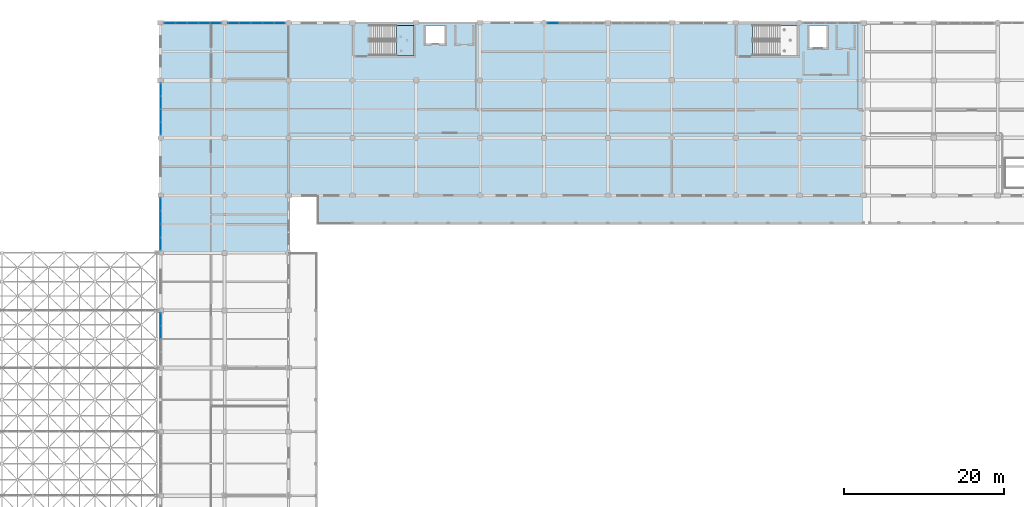
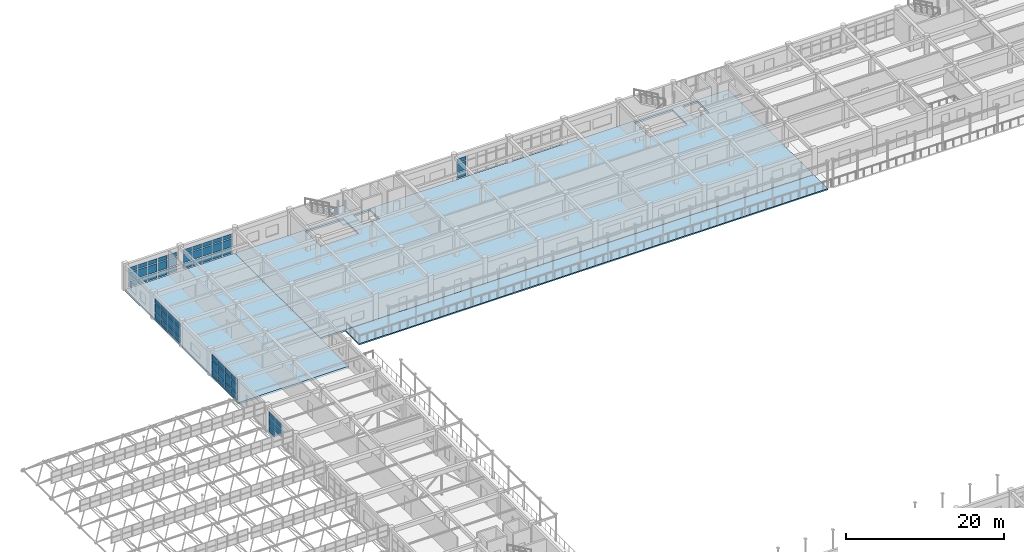
# One storey, part 150 of 195: 62 plates, 4 slabs, 7 elements without a shape of their own.
"""IFC4 building model written with IfcOpenShell, lengths in metres."""

from ifc_helpers import new_model, si_unit, direction, frame, origin, origin_2d, place, context, subcontext, project, spatial, polyline, rectangle, outline, extrude, material, layer, layer_set, type_object, element, aggregate, save


model = new_model("IFC4")

# Units and contexts
model_context = context("Model", 3, precision=1e-05, world=origin(), true_north=direction((0.0, 1.0)))
body_context = subcontext(model_context, "Body", "Model", "MODEL_VIEW")
ifc_project = project(units=[si_unit("LENGTHUNIT", "METRE"), si_unit("AREAUNIT", "SQUARE_METRE"), si_unit("VOLUMEUNIT", "CUBIC_METRE"), si_unit("PLANEANGLEUNIT", "RADIAN"), si_unit("MASSUNIT", "GRAM", prefix="KILO")], contexts=[model_context])

# Site, building, storey
site_placement = place(None, origin())
site = spatial("IfcSite", under=ifc_project, at=site_placement, CompositionType="ELEMENT")
building_placement = place(site_placement, origin())
building = spatial("IfcBuilding", under=site, at=building_placement, Name="Kharva Crest Polytechnic", CompositionType="ELEMENT")
storey_placement = place(building_placement, frame((0.0, 0.0, 9.0)))
storey = spatial("IfcBuildingStorey", under=building, at=storey_placement, Name="L02", CompositionType="ELEMENT", Elevation=9.0)

# Curtain wall, plates
ifc_material_1 = material(Name="Tempered insulated glass", Category="glass")
curtain_wall_type_1 = type_object("IfcCurtainWallType", Name="CW-SYS-COURT", PredefinedType="USERDEFINED", material=ifc_material_1)
curtain_wall_1_placement = place(storey_placement, origin())
curtain_wall_1 = element("IfcCurtainWall", 1, at=curtain_wall_1_placement, inside=storey, type_object=curtain_wall_type_1, Name="L02 Glazed Curtain Wall CW-098", ObjectType="CURTAIN WALL", PredefinedType="USERDEFINED")
ifc_layer_1 = layer(ifc_material_1, 0.02392578125, Name="Tempered insulated glass")
ifc_layer_set_1 = layer_set([ifc_layer_1], Name="Tempered insulated glass")
plate_type_1 = type_object("IfcPlateType", Name="CWP-GLZ-24", PredefinedType="CURTAIN_PANEL", material=ifc_layer_set_1)
plate_1_placement = place(storey_placement, frame((32.0, 84.858642578125, 0.119873046875), z_axis=(0.0, 0.0, 1.0), x_axis=(0.0, -1.0, 0.0)))
plate_1 = element("IfcPlate", 2, at=plate_1_placement, type_object=plate_type_1, Name="CW-098 panel 1.1", PredefinedType="CURTAIN_PANEL", context=body_context, shape_type="SweptSolid", body=[
    extrude(rectangle(XDim=1.512451171875, YDim=0.02392578125, at=origin_2d()), origin(), (0.0, 0.0, 1.0), 0.8701171875),
])
plate_2_placement = place(storey_placement, frame((32.0, 84.858642578125, 1.10986328125), z_axis=(0.0, 0.0, 1.0), x_axis=(0.0, -1.0, 0.0)))
plate_2 = element("IfcPlate", 3, at=plate_2_placement, type_object=plate_type_1, Name="CW-098 panel 1.2", PredefinedType="CURTAIN_PANEL", context=body_context, shape_type="SweptSolid", body=[
    extrude(rectangle(XDim=1.512451171875, YDim=0.02392578125, at=origin_2d()), origin(), (0.0, 0.0, 1.0), 1.280029296875),
])
plate_3_placement = place(storey_placement, frame((32.0, 84.858642578125, 2.510009765625), z_axis=(0.0, 0.0, 1.0), x_axis=(0.0, -1.0, 0.0)))
plate_3 = element("IfcPlate", 4, at=plate_3_placement, type_object=plate_type_1, Name="CW-098 panel 1.3", PredefinedType="CURTAIN_PANEL", context=body_context, shape_type="SweptSolid", body=[
    extrude(rectangle(XDim=1.512451171875, YDim=0.02392578125, at=origin_2d()), origin(), (0.0, 0.0, 1.0), 0.77001953125),
])
plate_4_placement = place(storey_placement, frame((32.0, 83.246337890625, 1.10986328125), z_axis=(0.0, 0.0, 1.0), x_axis=(0.0, -1.0, 0.0)))
plate_4 = element("IfcPlate", 5, at=plate_4_placement, type_object=plate_type_1, Name="CW-098 panel 2.2", PredefinedType="CURTAIN_PANEL", context=body_context, shape_type="SweptSolid", body=[
    extrude(rectangle(XDim=1.552490234375, YDim=0.02392578125, at=origin_2d()), origin(), (0.0, 0.0, 1.0), 1.280029296875),
])
plate_5_placement = place(storey_placement, frame((32.0, 83.246337890625, 2.510009765625), z_axis=(0.0, 0.0, 1.0), x_axis=(0.0, -1.0, 0.0)))
plate_5 = element("IfcPlate", 6, at=plate_5_placement, type_object=plate_type_1, Name="CW-098 panel 2.3", PredefinedType="CURTAIN_PANEL", context=body_context, shape_type="SweptSolid", body=[
    extrude(rectangle(XDim=1.552490234375, YDim=0.02392578125, at=origin_2d()), origin(), (0.0, 0.0, 1.0), 0.77001953125),
])
aggregate(curtain_wall_1, [plate_1, plate_2, plate_3, plate_4, plate_5])

curtain_wall_2_placement = place(storey_placement, origin())
curtain_wall_2 = element("IfcCurtainWall", 7, at=curtain_wall_2_placement, inside=storey, type_object=curtain_wall_type_1, Name="L02 Glazed Curtain Wall CW-124", ObjectType="CURTAIN WALL", PredefinedType="USERDEFINED")
plate_6_placement = place(storey_placement, frame((32.0, 99.27001953125, 0.119873046875), z_axis=(0.0, 0.0, 1.0), x_axis=(0.0, -1.0, 0.0)))
plate_6 = element("IfcPlate", 8, at=plate_6_placement, type_object=plate_type_1, Name="CW-124 panel 1.1", PredefinedType="CURTAIN_PANEL", context=body_context, shape_type="SweptSolid", body=[
    extrude(rectangle(XDim=1.5400390625, YDim=0.02392578125, at=origin_2d()), origin(), (0.0, 0.0, 1.0), 0.8701171875),
])
plate_7_placement = place(storey_placement, frame((32.0, 99.27001953125, 1.10986328125), z_axis=(0.0, 0.0, 1.0), x_axis=(0.0, -1.0, 0.0)))
plate_7 = element("IfcPlate", 9, at=plate_7_placement, type_object=plate_type_1, Name="CW-124 panel 1.2", PredefinedType="CURTAIN_PANEL", context=body_context, shape_type="SweptSolid", body=[
    extrude(rectangle(XDim=1.5400390625, YDim=0.02392578125, at=origin_2d()), origin(), (0.0, 0.0, 1.0), 1.280029296875),
])
plate_8_placement = place(storey_placement, frame((32.0, 99.27001953125, 2.510009765625), z_axis=(0.0, 0.0, 1.0), x_axis=(0.0, -1.0, 0.0)))
plate_8 = element("IfcPlate", 10, at=plate_8_placement, type_object=plate_type_1, Name="CW-124 panel 1.3", PredefinedType="CURTAIN_PANEL", context=body_context, shape_type="SweptSolid", body=[
    extrude(rectangle(XDim=1.5400390625, YDim=0.02392578125, at=origin_2d()), origin(), (0.0, 0.0, 1.0), 0.85009765625),
])
plate_9_placement = place(storey_placement, frame((32.0, 97.6298828125, 0.119873046875), z_axis=(0.0, 0.0, 1.0), x_axis=(0.0, -1.0, 0.0)))
plate_9 = element("IfcPlate", 11, at=plate_9_placement, type_object=plate_type_1, Name="CW-124 panel 2.1", PredefinedType="CURTAIN_PANEL", context=body_context, shape_type="SweptSolid", body=[
    extrude(rectangle(XDim=1.580078125, YDim=0.02392578125, at=origin_2d()), origin(), (0.0, 0.0, 1.0), 0.8701171875),
])
plate_10_placement = place(storey_placement, frame((32.0, 97.6298828125, 1.10986328125), z_axis=(0.0, 0.0, 1.0), x_axis=(0.0, -1.0, 0.0)))
plate_10 = element("IfcPlate", 12, at=plate_10_placement, type_object=plate_type_1, Name="CW-124 panel 2.2", PredefinedType="CURTAIN_PANEL", context=body_context, shape_type="SweptSolid", body=[
    extrude(rectangle(XDim=1.580078125, YDim=0.02392578125, at=origin_2d()), origin(), (0.0, 0.0, 1.0), 1.280029296875),
])
plate_11_placement = place(storey_placement, frame((32.0, 97.6298828125, 2.510009765625), z_axis=(0.0, 0.0, 1.0), x_axis=(0.0, -1.0, 0.0)))
plate_11 = element("IfcPlate", 13, at=plate_11_placement, type_object=plate_type_1, Name="CW-124 panel 2.3", PredefinedType="CURTAIN_PANEL", context=body_context, shape_type="SweptSolid", body=[
    extrude(rectangle(XDim=1.580078125, YDim=0.02392578125, at=origin_2d()), origin(), (0.0, 0.0, 1.0), 0.85009765625),
])
plate_12_placement = place(storey_placement, frame((32.0, 95.969970703125, 0.119873046875), z_axis=(0.0, 0.0, 1.0), x_axis=(0.0, -1.0, 0.0)))
plate_12 = element("IfcPlate", 14, at=plate_12_placement, type_object=plate_type_1, Name="CW-124 panel 3.1", PredefinedType="CURTAIN_PANEL", context=body_context, shape_type="SweptSolid", body=[
    extrude(rectangle(XDim=1.580078125, YDim=0.02392578125, at=origin_2d()), origin(), (0.0, 0.0, 1.0), 0.8701171875),
])
plate_13_placement = place(storey_placement, frame((32.0, 95.969970703125, 1.10986328125), z_axis=(0.0, 0.0, 1.0), x_axis=(0.0, -1.0, 0.0)))
plate_13 = element("IfcPlate", 15, at=plate_13_placement, type_object=plate_type_1, Name="CW-124 panel 3.2", PredefinedType="CURTAIN_PANEL", context=body_context, shape_type="SweptSolid", body=[
    extrude(rectangle(XDim=1.580078125, YDim=0.02392578125, at=origin_2d()), origin(), (0.0, 0.0, 1.0), 1.280029296875),
])
plate_14_placement = place(storey_placement, frame((32.0, 95.969970703125, 2.510009765625), z_axis=(0.0, 0.0, 1.0), x_axis=(0.0, -1.0, 0.0)))
plate_14 = element("IfcPlate", 16, at=plate_14_placement, type_object=plate_type_1, Name="CW-124 panel 3.3", PredefinedType="CURTAIN_PANEL", context=body_context, shape_type="SweptSolid", body=[
    extrude(rectangle(XDim=1.580078125, YDim=0.02392578125, at=origin_2d()), origin(), (0.0, 0.0, 1.0), 0.85009765625),
])
plate_15_placement = place(storey_placement, frame((32.0, 94.330078125, 0.119873046875), z_axis=(0.0, 0.0, 1.0), x_axis=(0.0, -1.0, 0.0)))
plate_15 = element("IfcPlate", 17, at=plate_15_placement, type_object=plate_type_1, Name="CW-124 panel 4.1", PredefinedType="CURTAIN_PANEL", context=body_context, shape_type="SweptSolid", body=[
    extrude(rectangle(XDim=1.5400390625, YDim=0.02392578125, at=origin_2d()), origin(), (0.0, 0.0, 1.0), 0.8701171875),
])
plate_16_placement = place(storey_placement, frame((32.0, 94.330078125, 1.10986328125), z_axis=(0.0, 0.0, 1.0), x_axis=(0.0, -1.0, 0.0)))
plate_16 = element("IfcPlate", 18, at=plate_16_placement, type_object=plate_type_1, Name="CW-124 panel 4.2", PredefinedType="CURTAIN_PANEL", context=body_context, shape_type="SweptSolid", body=[
    extrude(rectangle(XDim=1.5400390625, YDim=0.02392578125, at=origin_2d()), origin(), (0.0, 0.0, 1.0), 1.280029296875),
])
plate_17_placement = place(storey_placement, frame((32.0, 94.330078125, 2.510009765625), z_axis=(0.0, 0.0, 1.0), x_axis=(0.0, -1.0, 0.0)))
plate_17 = element("IfcPlate", 19, at=plate_17_placement, type_object=plate_type_1, Name="CW-124 panel 4.3", PredefinedType="CURTAIN_PANEL", context=body_context, shape_type="SweptSolid", body=[
    extrude(rectangle(XDim=1.5400390625, YDim=0.02392578125, at=origin_2d()), origin(), (0.0, 0.0, 1.0), 0.85009765625),
])
aggregate(curtain_wall_2, [plate_6, plate_7, plate_8, plate_9, plate_10, plate_11, plate_12, plate_13, plate_14, plate_15, plate_16, plate_17])

curtain_wall_type_2 = type_object("IfcCurtainWallType", Name="CW-SYS-LIBRARY", PredefinedType="USERDEFINED", material=ifc_material_1)
curtain_wall_3_placement = place(storey_placement, origin())
curtain_wall_3 = element("IfcCurtainWall", 20, at=curtain_wall_3_placement, inside=storey, type_object=curtain_wall_type_2, Name="L02 Glazed Curtain Wall CW-120", ObjectType="CURTAIN WALL", PredefinedType="USERDEFINED")
ifc_layer_2 = layer(ifc_material_1, 0.031982421875, Name="Tempered insulated glass")
ifc_layer_set_2 = layer_set([ifc_layer_2], Name="Tempered insulated glass")
plate_type_2 = type_object("IfcPlateType", Name="CWP-GLZ-32", PredefinedType="CURTAIN_PANEL", material=ifc_layer_set_2)
plate_18_placement = place(storey_placement, frame((81.115478515625, 122.0, 0.14013671875), z_axis=(0.0, 0.0, 1.0), x_axis=(-1.0, 0.0, 0.0)))
plate_18 = element("IfcPlate", 21, at=plate_18_placement, type_object=plate_type_2, Name="CW-120 panel 5.1", PredefinedType="CURTAIN_PANEL", context=body_context, shape_type="SweptSolid", body=[
    extrude(rectangle(XDim=1.301025390625, YDim=0.031982421875, at=origin_2d()), origin(), (0.0, 0.0, 1.0), 0.840087890625),
])
plate_19_placement = place(storey_placement, frame((81.115478515625, 122.0, 1.1201171875), z_axis=(0.0, 0.0, 1.0), x_axis=(-1.0, 0.0, 0.0)))
plate_19 = element("IfcPlate", 22, at=plate_19_placement, type_object=plate_type_2, Name="CW-120 panel 5.2", PredefinedType="CURTAIN_PANEL", context=body_context, shape_type="SweptSolid", body=[
    extrude(rectangle(XDim=1.301025390625, YDim=0.031982421875, at=origin_2d()), origin(), (0.0, 0.0, 1.0), 1.260009765625),
])
plate_20_placement = place(storey_placement, frame((81.115478515625, 122.0, 2.52001953125), z_axis=(0.0, 0.0, 1.0), x_axis=(-1.0, 0.0, 0.0)))
plate_20 = element("IfcPlate", 23, at=plate_20_placement, type_object=plate_type_2, Name="CW-120 panel 5.3", PredefinedType="CURTAIN_PANEL", context=body_context, shape_type="SweptSolid", body=[
    extrude(rectangle(XDim=1.301025390625, YDim=0.031982421875, at=origin_2d()), origin(), (0.0, 0.0, 1.0), 0.610107421875),
])
aggregate(curtain_wall_3, [plate_18, plate_19, plate_20])

curtain_wall_4_placement = place(storey_placement, origin())
curtain_wall_4 = element("IfcCurtainWall", 24, at=curtain_wall_4_placement, inside=storey, type_object=curtain_wall_type_2, Name="L02 Glazed Curtain Wall CW-121", ObjectType="CURTAIN WALL", PredefinedType="USERDEFINED")
plate_21_placement = place(storey_placement, frame((46.883056640625, 122.0, 0.14013671875), z_axis=(0.0, 0.0, 1.0), x_axis=(-1.0, 0.0, 0.0)))
plate_21 = element("IfcPlate", 25, at=plate_21_placement, type_object=plate_type_2, Name="CW-121 panel 1.1", PredefinedType="CURTAIN_PANEL", context=body_context, shape_type="SweptSolid", body=[
    extrude(rectangle(XDim=1.303955078125, YDim=0.031982421875, at=origin_2d()), origin(), (0.0, 0.0, 1.0), 0.840087890625),
])
plate_22_placement = place(storey_placement, frame((46.883056640625, 122.0, 1.1201171875), z_axis=(0.0, 0.0, 1.0), x_axis=(-1.0, 0.0, 0.0)))
plate_22 = element("IfcPlate", 26, at=plate_22_placement, type_object=plate_type_2, Name="CW-121 panel 1.2", PredefinedType="CURTAIN_PANEL", context=body_context, shape_type="SweptSolid", body=[
    extrude(rectangle(XDim=1.303955078125, YDim=0.031982421875, at=origin_2d()), origin(), (0.0, 0.0, 1.0), 1.260009765625),
])
plate_23_placement = place(storey_placement, frame((46.883056640625, 122.0, 2.52001953125), z_axis=(0.0, 0.0, 1.0), x_axis=(-1.0, 0.0, 0.0)))
plate_23 = element("IfcPlate", 27, at=plate_23_placement, type_object=plate_type_2, Name="CW-121 panel 1.3", PredefinedType="CURTAIN_PANEL", context=body_context, shape_type="SweptSolid", body=[
    extrude(rectangle(XDim=1.303955078125, YDim=0.031982421875, at=origin_2d()), origin(), (0.0, 0.0, 1.0), 0.610107421875),
])
plate_24_placement = place(storey_placement, frame((45.4541015625, 122.0, 0.14013671875), z_axis=(0.0, 0.0, 1.0), x_axis=(-1.0, 0.0, 0.0)))
plate_24 = element("IfcPlate", 28, at=plate_24_placement, type_object=plate_type_2, Name="CW-121 panel 2.1", PredefinedType="CURTAIN_PANEL", context=body_context, shape_type="SweptSolid", body=[
    extrude(rectangle(XDim=1.35400390625, YDim=0.031982421875, at=origin_2d()), origin(), (0.0, 0.0, 1.0), 0.840087890625),
])
plate_25_placement = place(storey_placement, frame((45.4541015625, 122.0, 1.1201171875), z_axis=(0.0, 0.0, 1.0), x_axis=(-1.0, 0.0, 0.0)))
plate_25 = element("IfcPlate", 29, at=plate_25_placement, type_object=plate_type_2, Name="CW-121 panel 2.2", PredefinedType="CURTAIN_PANEL", context=body_context, shape_type="SweptSolid", body=[
    extrude(rectangle(XDim=1.35400390625, YDim=0.031982421875, at=origin_2d()), origin(), (0.0, 0.0, 1.0), 1.260009765625),
])
plate_26_placement = place(storey_placement, frame((45.4541015625, 122.0, 2.52001953125), z_axis=(0.0, 0.0, 1.0), x_axis=(-1.0, 0.0, 0.0)))
plate_26 = element("IfcPlate", 30, at=plate_26_placement, type_object=plate_type_2, Name="CW-121 panel 2.3", PredefinedType="CURTAIN_PANEL", context=body_context, shape_type="SweptSolid", body=[
    extrude(rectangle(XDim=1.35400390625, YDim=0.031982421875, at=origin_2d()), origin(), (0.0, 0.0, 1.0), 0.610107421875),
])
plate_27_placement = place(storey_placement, frame((44.0, 122.0, 0.14013671875), z_axis=(0.0, 0.0, 1.0), x_axis=(-1.0, 0.0, 0.0)))
plate_27 = element("IfcPlate", 31, at=plate_27_placement, type_object=plate_type_2, Name="CW-121 panel 3.1", PredefinedType="CURTAIN_PANEL", context=body_context, shape_type="SweptSolid", body=[
    extrude(rectangle(XDim=1.35400390625, YDim=0.031982421875, at=origin_2d()), origin(), (0.0, 0.0, 1.0), 0.840087890625),
])
plate_28_placement = place(storey_placement, frame((44.0, 122.0, 1.1201171875), z_axis=(0.0, 0.0, 1.0), x_axis=(-1.0, 0.0, 0.0)))
plate_28 = element("IfcPlate", 32, at=plate_28_placement, type_object=plate_type_2, Name="CW-121 panel 3.2", PredefinedType="CURTAIN_PANEL", context=body_context, shape_type="SweptSolid", body=[
    extrude(rectangle(XDim=1.35400390625, YDim=0.031982421875, at=origin_2d()), origin(), (0.0, 0.0, 1.0), 1.260009765625),
])
plate_29_placement = place(storey_placement, frame((44.0, 122.0, 2.52001953125), z_axis=(0.0, 0.0, 1.0), x_axis=(-1.0, 0.0, 0.0)))
plate_29 = element("IfcPlate", 33, at=plate_29_placement, type_object=plate_type_2, Name="CW-121 panel 3.3", PredefinedType="CURTAIN_PANEL", context=body_context, shape_type="SweptSolid", body=[
    extrude(rectangle(XDim=1.35400390625, YDim=0.031982421875, at=origin_2d()), origin(), (0.0, 0.0, 1.0), 0.610107421875),
])
plate_30_placement = place(storey_placement, frame((42.5458984375, 122.0, 0.14013671875), z_axis=(0.0, 0.0, 1.0), x_axis=(-1.0, 0.0, 0.0)))
plate_30 = element("IfcPlate", 34, at=plate_30_placement, type_object=plate_type_2, Name="CW-121 panel 4.1", PredefinedType="CURTAIN_PANEL", context=body_context, shape_type="SweptSolid", body=[
    extrude(rectangle(XDim=1.35400390625, YDim=0.031982421875, at=origin_2d()), origin(), (0.0, 0.0, 1.0), 0.840087890625),
])
plate_31_placement = place(storey_placement, frame((42.5458984375, 122.0, 1.1201171875), z_axis=(0.0, 0.0, 1.0), x_axis=(-1.0, 0.0, 0.0)))
plate_31 = element("IfcPlate", 35, at=plate_31_placement, type_object=plate_type_2, Name="CW-121 panel 4.2", PredefinedType="CURTAIN_PANEL", context=body_context, shape_type="SweptSolid", body=[
    extrude(rectangle(XDim=1.35400390625, YDim=0.031982421875, at=origin_2d()), origin(), (0.0, 0.0, 1.0), 1.260009765625),
])
plate_32_placement = place(storey_placement, frame((42.5458984375, 122.0, 2.52001953125), z_axis=(0.0, 0.0, 1.0), x_axis=(-1.0, 0.0, 0.0)))
plate_32 = element("IfcPlate", 36, at=plate_32_placement, type_object=plate_type_2, Name="CW-121 panel 4.3", PredefinedType="CURTAIN_PANEL", context=body_context, shape_type="SweptSolid", body=[
    extrude(rectangle(XDim=1.35400390625, YDim=0.031982421875, at=origin_2d()), origin(), (0.0, 0.0, 1.0), 0.610107421875),
])
plate_33_placement = place(storey_placement, frame((41.116943359375, 122.0, 0.14013671875), z_axis=(0.0, 0.0, 1.0), x_axis=(-1.0, 0.0, 0.0)))
plate_33 = element("IfcPlate", 37, at=plate_33_placement, type_object=plate_type_2, Name="CW-121 panel 5.1", PredefinedType="CURTAIN_PANEL", context=body_context, shape_type="SweptSolid", body=[
    extrude(rectangle(XDim=1.303955078125, YDim=0.031982421875, at=origin_2d()), origin(), (0.0, 0.0, 1.0), 0.840087890625),
])
plate_34_placement = place(storey_placement, frame((41.116943359375, 122.0, 1.1201171875), z_axis=(0.0, 0.0, 1.0), x_axis=(-1.0, 0.0, 0.0)))
plate_34 = element("IfcPlate", 38, at=plate_34_placement, type_object=plate_type_2, Name="CW-121 panel 5.2", PredefinedType="CURTAIN_PANEL", context=body_context, shape_type="SweptSolid", body=[
    extrude(rectangle(XDim=1.303955078125, YDim=0.031982421875, at=origin_2d()), origin(), (0.0, 0.0, 1.0), 1.260009765625),
])
plate_35_placement = place(storey_placement, frame((41.116943359375, 122.0, 2.52001953125), z_axis=(0.0, 0.0, 1.0), x_axis=(-1.0, 0.0, 0.0)))
plate_35 = element("IfcPlate", 39, at=plate_35_placement, type_object=plate_type_2, Name="CW-121 panel 5.3", PredefinedType="CURTAIN_PANEL", context=body_context, shape_type="SweptSolid", body=[
    extrude(rectangle(XDim=1.303955078125, YDim=0.031982421875, at=origin_2d()), origin(), (0.0, 0.0, 1.0), 0.610107421875),
])
aggregate(curtain_wall_4, [plate_21, plate_22, plate_23, plate_24, plate_25, plate_26, plate_27, plate_28, plate_29, plate_30, plate_31, plate_32, plate_33, plate_34, plate_35])

curtain_wall_5_placement = place(storey_placement, origin())
curtain_wall_5 = element("IfcCurtainWall", 40, at=curtain_wall_5_placement, inside=storey, type_object=curtain_wall_type_2, Name="L02 Glazed Curtain Wall CW-122", ObjectType="CURTAIN WALL", PredefinedType="USERDEFINED")
plate_36_placement = place(storey_placement, frame((38.884521484375, 122.0, 0.14013671875), z_axis=(0.0, 0.0, 1.0), x_axis=(-1.0, 0.0, 0.0)))
plate_36 = element("IfcPlate", 41, at=plate_36_placement, type_object=plate_type_2, Name="CW-122 panel 1.1", PredefinedType="CURTAIN_PANEL", context=body_context, shape_type="SweptSolid", body=[
    extrude(rectangle(XDim=1.301025390625, YDim=0.031982421875, at=origin_2d()), origin(), (0.0, 0.0, 1.0), 0.840087890625),
])
plate_37_placement = place(storey_placement, frame((38.884521484375, 122.0, 1.1201171875), z_axis=(0.0, 0.0, 1.0), x_axis=(-1.0, 0.0, 0.0)))
plate_37 = element("IfcPlate", 42, at=plate_37_placement, type_object=plate_type_2, Name="CW-122 panel 1.2", PredefinedType="CURTAIN_PANEL", context=body_context, shape_type="SweptSolid", body=[
    extrude(rectangle(XDim=1.301025390625, YDim=0.031982421875, at=origin_2d()), origin(), (0.0, 0.0, 1.0), 1.260009765625),
])
plate_38_placement = place(storey_placement, frame((38.884521484375, 122.0, 2.52001953125), z_axis=(0.0, 0.0, 1.0), x_axis=(-1.0, 0.0, 0.0)))
plate_38 = element("IfcPlate", 43, at=plate_38_placement, type_object=plate_type_2, Name="CW-122 panel 1.3", PredefinedType="CURTAIN_PANEL", context=body_context, shape_type="SweptSolid", body=[
    extrude(rectangle(XDim=1.301025390625, YDim=0.031982421875, at=origin_2d()), origin(), (0.0, 0.0, 1.0), 0.610107421875),
])
plate_39_placement = place(storey_placement, frame((37.45849609375, 122.0, 0.14013671875), z_axis=(0.0, 0.0, 1.0), x_axis=(-1.0, 0.0, 0.0)))
plate_39 = element("IfcPlate", 44, at=plate_39_placement, type_object=plate_type_2, Name="CW-122 panel 2.1", PredefinedType="CURTAIN_PANEL", context=body_context, shape_type="SweptSolid", body=[
    extrude(rectangle(XDim=1.35107421875, YDim=0.031982421875, at=origin_2d()), origin(), (0.0, 0.0, 1.0), 0.840087890625),
])
plate_40_placement = place(storey_placement, frame((37.45849609375, 122.0, 1.1201171875), z_axis=(0.0, 0.0, 1.0), x_axis=(-1.0, 0.0, 0.0)))
plate_40 = element("IfcPlate", 45, at=plate_40_placement, type_object=plate_type_2, Name="CW-122 panel 2.2", PredefinedType="CURTAIN_PANEL", context=body_context, shape_type="SweptSolid", body=[
    extrude(rectangle(XDim=1.35107421875, YDim=0.031982421875, at=origin_2d()), origin(), (0.0, 0.0, 1.0), 1.260009765625),
])
plate_41_placement = place(storey_placement, frame((37.45849609375, 122.0, 2.52001953125), z_axis=(0.0, 0.0, 1.0), x_axis=(-1.0, 0.0, 0.0)))
plate_41 = element("IfcPlate", 46, at=plate_41_placement, type_object=plate_type_2, Name="CW-122 panel 2.3", PredefinedType="CURTAIN_PANEL", context=body_context, shape_type="SweptSolid", body=[
    extrude(rectangle(XDim=1.35107421875, YDim=0.031982421875, at=origin_2d()), origin(), (0.0, 0.0, 1.0), 0.610107421875),
])
plate_42_placement = place(storey_placement, frame((36.007568359375, 122.0, 0.14013671875), z_axis=(0.0, 0.0, 1.0), x_axis=(-1.0, 0.0, 0.0)))
plate_42 = element("IfcPlate", 47, at=plate_42_placement, type_object=plate_type_2, Name="CW-122 panel 3.1", PredefinedType="CURTAIN_PANEL", context=body_context, shape_type="SweptSolid", body=[
    extrude(rectangle(XDim=1.35107421875, YDim=0.031982421875, at=origin_2d()), origin(), (0.0, 0.0, 1.0), 0.840087890625),
])
plate_43_placement = place(storey_placement, frame((36.007568359375, 122.0, 1.1201171875), z_axis=(0.0, 0.0, 1.0), x_axis=(-1.0, 0.0, 0.0)))
plate_43 = element("IfcPlate", 48, at=plate_43_placement, type_object=plate_type_2, Name="CW-122 panel 3.2", PredefinedType="CURTAIN_PANEL", context=body_context, shape_type="SweptSolid", body=[
    extrude(rectangle(XDim=1.35107421875, YDim=0.031982421875, at=origin_2d()), origin(), (0.0, 0.0, 1.0), 1.260009765625),
])
plate_44_placement = place(storey_placement, frame((36.007568359375, 122.0, 2.52001953125), z_axis=(0.0, 0.0, 1.0), x_axis=(-1.0, 0.0, 0.0)))
plate_44 = element("IfcPlate", 49, at=plate_44_placement, type_object=plate_type_2, Name="CW-122 panel 3.3", PredefinedType="CURTAIN_PANEL", context=body_context, shape_type="SweptSolid", body=[
    extrude(rectangle(XDim=1.35107421875, YDim=0.031982421875, at=origin_2d()), origin(), (0.0, 0.0, 1.0), 0.610107421875),
])
plate_45_placement = place(storey_placement, frame((34.556396484375, 122.0, 0.14013671875), z_axis=(0.0, 0.0, 1.0), x_axis=(-1.0, 0.0, 0.0)))
plate_45 = element("IfcPlate", 50, at=plate_45_placement, type_object=plate_type_2, Name="CW-122 panel 4.1", PredefinedType="CURTAIN_PANEL", context=body_context, shape_type="SweptSolid", body=[
    extrude(rectangle(XDim=1.35107421875, YDim=0.031982421875, at=origin_2d()), origin(), (0.0, 0.0, 1.0), 0.840087890625),
])
plate_46_placement = place(storey_placement, frame((34.556396484375, 122.0, 1.1201171875), z_axis=(0.0, 0.0, 1.0), x_axis=(-1.0, 0.0, 0.0)))
plate_46 = element("IfcPlate", 51, at=plate_46_placement, type_object=plate_type_2, Name="CW-122 panel 4.2", PredefinedType="CURTAIN_PANEL", context=body_context, shape_type="SweptSolid", body=[
    extrude(rectangle(XDim=1.35107421875, YDim=0.031982421875, at=origin_2d()), origin(), (0.0, 0.0, 1.0), 1.260009765625),
])
plate_47_placement = place(storey_placement, frame((34.556396484375, 122.0, 2.52001953125), z_axis=(0.0, 0.0, 1.0), x_axis=(-1.0, 0.0, 0.0)))
plate_47 = element("IfcPlate", 52, at=plate_47_placement, type_object=plate_type_2, Name="CW-122 panel 4.3", PredefinedType="CURTAIN_PANEL", context=body_context, shape_type="SweptSolid", body=[
    extrude(rectangle(XDim=1.35107421875, YDim=0.031982421875, at=origin_2d()), origin(), (0.0, 0.0, 1.0), 0.610107421875),
])
plate_48_placement = place(storey_placement, frame((33.130615234375, 122.0, 0.14013671875), z_axis=(0.0, 0.0, 1.0), x_axis=(-1.0, 0.0, 0.0)))
plate_48 = element("IfcPlate", 53, at=plate_48_placement, type_object=plate_type_2, Name="CW-122 panel 5.1", PredefinedType="CURTAIN_PANEL", context=body_context, shape_type="SweptSolid", body=[
    extrude(rectangle(XDim=1.301025390625, YDim=0.031982421875, at=origin_2d()), origin(), (0.0, 0.0, 1.0), 0.840087890625),
])
plate_49_placement = place(storey_placement, frame((33.130615234375, 122.0, 1.1201171875), z_axis=(0.0, 0.0, 1.0), x_axis=(-1.0, 0.0, 0.0)))
plate_49 = element("IfcPlate", 54, at=plate_49_placement, type_object=plate_type_2, Name="CW-122 panel 5.2", PredefinedType="CURTAIN_PANEL", context=body_context, shape_type="SweptSolid", body=[
    extrude(rectangle(XDim=1.301025390625, YDim=0.031982421875, at=origin_2d()), origin(), (0.0, 0.0, 1.0), 1.260009765625),
])
plate_50_placement = place(storey_placement, frame((33.130615234375, 122.0, 2.52001953125), z_axis=(0.0, 0.0, 1.0), x_axis=(-1.0, 0.0, 0.0)))
plate_50 = element("IfcPlate", 55, at=plate_50_placement, type_object=plate_type_2, Name="CW-122 panel 5.3", PredefinedType="CURTAIN_PANEL", context=body_context, shape_type="SweptSolid", body=[
    extrude(rectangle(XDim=1.301025390625, YDim=0.031982421875, at=origin_2d()), origin(), (0.0, 0.0, 1.0), 0.610107421875),
])
aggregate(curtain_wall_5, [plate_36, plate_37, plate_38, plate_39, plate_40, plate_41, plate_42, plate_43, plate_44, plate_45, plate_46, plate_47, plate_48, plate_49, plate_50])

curtain_wall_6_placement = place(storey_placement, origin())
curtain_wall_6 = element("IfcCurtainWall", 56, at=curtain_wall_6_placement, inside=storey, type_object=curtain_wall_type_2, Name="L02 Glazed Curtain Wall CW-123", ObjectType="CURTAIN WALL", PredefinedType="USERDEFINED")
plate_51_placement = place(storey_placement, frame((32.0, 113.65380859375, 0.14013671875), z_axis=(0.0, 0.0, 1.0), x_axis=(0.0, -1.0, 0.0)))
plate_51 = element("IfcPlate", 57, at=plate_51_placement, type_object=plate_type_2, Name="CW-123 panel 1.1", PredefinedType="CURTAIN_PANEL", context=body_context, shape_type="SweptSolid", body=[
    extrude(rectangle(XDim=1.482421875, YDim=0.031982421875, at=origin_2d()), origin(), (0.0, 0.0, 1.0), 0.840087890625),
])
plate_52_placement = place(storey_placement, frame((32.0, 113.65380859375, 1.1201171875), z_axis=(0.0, 0.0, 1.0), x_axis=(0.0, -1.0, 0.0)))
plate_52 = element("IfcPlate", 58, at=plate_52_placement, type_object=plate_type_2, Name="CW-123 panel 1.2", PredefinedType="CURTAIN_PANEL", context=body_context, shape_type="SweptSolid", body=[
    extrude(rectangle(XDim=1.482421875, YDim=0.031982421875, at=origin_2d()), origin(), (0.0, 0.0, 1.0), 1.260009765625),
])
plate_53_placement = place(storey_placement, frame((32.0, 113.65380859375, 2.52001953125), z_axis=(0.0, 0.0, 1.0), x_axis=(0.0, -1.0, 0.0)))
plate_53 = element("IfcPlate", 59, at=plate_53_placement, type_object=plate_type_2, Name="CW-123 panel 1.3", PredefinedType="CURTAIN_PANEL", context=body_context, shape_type="SweptSolid", body=[
    extrude(rectangle(XDim=1.482421875, YDim=0.031982421875, at=origin_2d()), origin(), (0.0, 0.0, 1.0), 0.679931640625),
])
plate_54_placement = place(storey_placement, frame((32.0, 112.046142578125, 0.14013671875), z_axis=(0.0, 0.0, 1.0), x_axis=(0.0, -1.0, 0.0)))
plate_54 = element("IfcPlate", 60, at=plate_54_placement, type_object=plate_type_2, Name="CW-123 panel 2.1", PredefinedType="CURTAIN_PANEL", context=body_context, shape_type="SweptSolid", body=[
    extrude(rectangle(XDim=1.532470703125, YDim=0.031982421875, at=origin_2d()), origin(), (0.0, 0.0, 1.0), 0.840087890625),
])
plate_55_placement = place(storey_placement, frame((32.0, 112.046142578125, 1.1201171875), z_axis=(0.0, 0.0, 1.0), x_axis=(0.0, -1.0, 0.0)))
plate_55 = element("IfcPlate", 61, at=plate_55_placement, type_object=plate_type_2, Name="CW-123 panel 2.2", PredefinedType="CURTAIN_PANEL", context=body_context, shape_type="SweptSolid", body=[
    extrude(rectangle(XDim=1.532470703125, YDim=0.031982421875, at=origin_2d()), origin(), (0.0, 0.0, 1.0), 1.260009765625),
])
plate_56_placement = place(storey_placement, frame((32.0, 112.046142578125, 2.52001953125), z_axis=(0.0, 0.0, 1.0), x_axis=(0.0, -1.0, 0.0)))
plate_56 = element("IfcPlate", 62, at=plate_56_placement, type_object=plate_type_2, Name="CW-123 panel 2.3", PredefinedType="CURTAIN_PANEL", context=body_context, shape_type="SweptSolid", body=[
    extrude(rectangle(XDim=1.532470703125, YDim=0.031982421875, at=origin_2d()), origin(), (0.0, 0.0, 1.0), 0.679931640625),
])
plate_57_placement = place(storey_placement, frame((32.0, 110.413818359375, 0.14013671875), z_axis=(0.0, 0.0, 1.0), x_axis=(0.0, -1.0, 0.0)))
plate_57 = element("IfcPlate", 63, at=plate_57_placement, type_object=plate_type_2, Name="CW-123 panel 3.1", PredefinedType="CURTAIN_PANEL", context=body_context, shape_type="SweptSolid", body=[
    extrude(rectangle(XDim=1.532470703125, YDim=0.031982421875, at=origin_2d()), origin(), (0.0, 0.0, 1.0), 0.840087890625),
])
plate_58_placement = place(storey_placement, frame((32.0, 110.413818359375, 1.1201171875), z_axis=(0.0, 0.0, 1.0), x_axis=(0.0, -1.0, 0.0)))
plate_58 = element("IfcPlate", 64, at=plate_58_placement, type_object=plate_type_2, Name="CW-123 panel 3.2", PredefinedType="CURTAIN_PANEL", context=body_context, shape_type="SweptSolid", body=[
    extrude(rectangle(XDim=1.532470703125, YDim=0.031982421875, at=origin_2d()), origin(), (0.0, 0.0, 1.0), 1.260009765625),
])
plate_59_placement = place(storey_placement, frame((32.0, 110.413818359375, 2.52001953125), z_axis=(0.0, 0.0, 1.0), x_axis=(0.0, -1.0, 0.0)))
plate_59 = element("IfcPlate", 65, at=plate_59_placement, type_object=plate_type_2, Name="CW-123 panel 3.3", PredefinedType="CURTAIN_PANEL", context=body_context, shape_type="SweptSolid", body=[
    extrude(rectangle(XDim=1.532470703125, YDim=0.031982421875, at=origin_2d()), origin(), (0.0, 0.0, 1.0), 0.679931640625),
])
plate_60_placement = place(storey_placement, frame((32.0, 108.80615234375, 0.14013671875), z_axis=(0.0, 0.0, 1.0), x_axis=(0.0, -1.0, 0.0)))
plate_60 = element("IfcPlate", 66, at=plate_60_placement, type_object=plate_type_2, Name="CW-123 panel 4.1", PredefinedType="CURTAIN_PANEL", context=body_context, shape_type="SweptSolid", body=[
    extrude(rectangle(XDim=1.482421875, YDim=0.031982421875, at=origin_2d()), origin(), (0.0, 0.0, 1.0), 0.840087890625),
])
plate_61_placement = place(storey_placement, frame((32.0, 108.80615234375, 1.1201171875), z_axis=(0.0, 0.0, 1.0), x_axis=(0.0, -1.0, 0.0)))
plate_61 = element("IfcPlate", 67, at=plate_61_placement, type_object=plate_type_2, Name="CW-123 panel 4.2", PredefinedType="CURTAIN_PANEL", context=body_context, shape_type="SweptSolid", body=[
    extrude(rectangle(XDim=1.482421875, YDim=0.031982421875, at=origin_2d()), origin(), (0.0, 0.0, 1.0), 1.260009765625),
])
plate_62_placement = place(storey_placement, frame((32.0, 108.80615234375, 2.52001953125), z_axis=(0.0, 0.0, 1.0), x_axis=(0.0, -1.0, 0.0)))
plate_62 = element("IfcPlate", 68, at=plate_62_placement, type_object=plate_type_2, Name="CW-123 panel 4.3", PredefinedType="CURTAIN_PANEL", context=body_context, shape_type="SweptSolid", body=[
    extrude(rectangle(XDim=1.482421875, YDim=0.031982421875, at=origin_2d()), origin(), (0.0, 0.0, 1.0), 0.679931640625),
])
aggregate(curtain_wall_6, [plate_51, plate_52, plate_53, plate_54, plate_55, plate_56, plate_57, plate_58, plate_59, plate_60, plate_61, plate_62])

# Slabs
ifc_material_2 = material(Name="Concrete C35/45", Category="concrete")
ifc_layer_3 = layer(ifc_material_2, 0.280029296875, Name="Concrete C35/45")
ifc_layer_set_3 = layer_set([ifc_layer_3], Name="Concrete C35/45")
slab_type_1 = type_object("IfcSlabType", Name="SLB-FLR-280", PredefinedType="FLOOR", material=ifc_layer_set_3)
slab_1_placement = place(storey_placement, frame((0.0, 0.0, -0.280029296875)))
element("IfcSlab", 69, at=slab_1_placement, inside=storey, type_object=slab_type_1, Name="L02 Structural Slab NW_WKSHP", PredefinedType="FLOOR", context=body_context, shape_type="SweptSolid", body=[
    extrude(outline(polyline([(32.0, 93.199951171875), (48.0, 93.199951171875), (48.0, 122.0), (32.0, 122.0), (32.0, 93.199951171875)])), origin(), (0.0, 0.0, 1.0), 0.280029296875),
])
slab_2_placement = place(storey_placement, frame((0.0, 0.0, -0.280029296875)))
element("IfcSlab", 70, at=slab_2_placement, inside=storey, type_object=slab_type_1, Name="L02 Structural Slab N_LAB-W", PredefinedType="FLOOR", context=body_context, shape_type="SweptSolid", body=[
    extrude(outline(polyline([(48.0, 100.39990234375), (120.0, 100.39990234375), (120.0, 122.0), (48.0, 122.0), (48.0, 100.39990234375)]), holes=[polyline([(58.1298828125, 117.93994140625), (63.699951171875, 117.93994140625), (63.699951171875, 121.699951171875), (58.1298828125, 121.699951171875), (58.1298828125, 117.93994140625)]), polyline([(65.199951171875, 119.39990234375), (67.60009765625, 119.39990234375), (67.60009765625, 121.699951171875), (65.199951171875, 121.699951171875), (65.199951171875, 119.39990234375)]), polyline([(106.1298828125, 117.93994140625), (111.699951171875, 117.93994140625), (111.699951171875, 121.699951171875), (106.1298828125, 121.699951171875), (106.1298828125, 117.93994140625)]), polyline([(113.199951171875, 118.89990234375), (115.39990234375, 118.89990234375), (115.39990234375, 121.699951171875), (113.199951171875, 121.699951171875), (113.199951171875, 118.89990234375)])]), origin(), (0.0, 0.0, 1.0), 0.280029296875),
])

# Stair, slab
stair_type = type_object("IfcStairType", Name="STR-DOGLEG-1780", PredefinedType="TWO_STRAIGHT_RUN_STAIR", material=ifc_material_2)
stair_placement = place(storey_placement, origin())
stair = element("IfcStair", 71, at=stair_placement, inside=storey, type_object=stair_type, Name="L02 North-West Lab Core C3", PredefinedType="TWO_STRAIGHT_RUN_STAIR")
ifc_layer_4 = layer(ifc_material_2, 0.199951171875, Name="Concrete C35/45")
ifc_layer_set_4 = layer_set([ifc_layer_4], Name="Concrete C35/45")
slab_type_2 = type_object("IfcSlabType", Name="SLB-LAND-200", PredefinedType="LANDING", material=ifc_layer_set_4)
slab_3_placement = place(storey_placement, frame((0.0, 0.0, 1.89990234375)))
slab_3 = element("IfcSlab", 72, at=slab_3_placement, type_object=slab_type_2, Name="ST-03 landing 1", PredefinedType="LANDING", context=body_context, shape_type="SweptSolid", body=[
    extrude(outline(polyline([(61.534912109375, 117.93994140625), (63.699951171875, 117.93994140625), (63.699951171875, 121.699951171875), (61.534912109375, 121.699951171875), (61.534912109375, 117.93994140625)])), origin(), (0.0, 0.0, 1.0), 0.2001953125),
])
aggregate(stair, [slab_3])

# Slab
ifc_layer_5 = layer(ifc_material_2, 0.18994140625, Name="Concrete C35/45")
ifc_layer_set_5 = layer_set([ifc_layer_5], Name="Concrete C35/45")
slab_type_3 = type_object("IfcSlabType", Name="SLB-VER-190", PredefinedType="FLOOR", material=ifc_layer_set_5)
slab_4_placement = place(storey_placement, frame((0.0, 0.0, -0.18994140625)))
element("IfcSlab", 73, at=slab_4_placement, inside=storey, type_object=slab_type_3, Name="L02 Outdoor Veranda Slab VER_N_L02-W", PredefinedType="FLOOR", context=body_context, shape_type="SweptSolid", body=[
    extrude(outline(polyline([(51.60009765625, 96.800048828125), (120.0, 96.800048828125), (120.0, 100.39990234375), (51.60009765625, 100.39990234375), (51.60009765625, 96.800048828125)])), origin(), (0.0, 0.0, 1.0), 0.18994140625),
])

save(model, "model.ifc")
